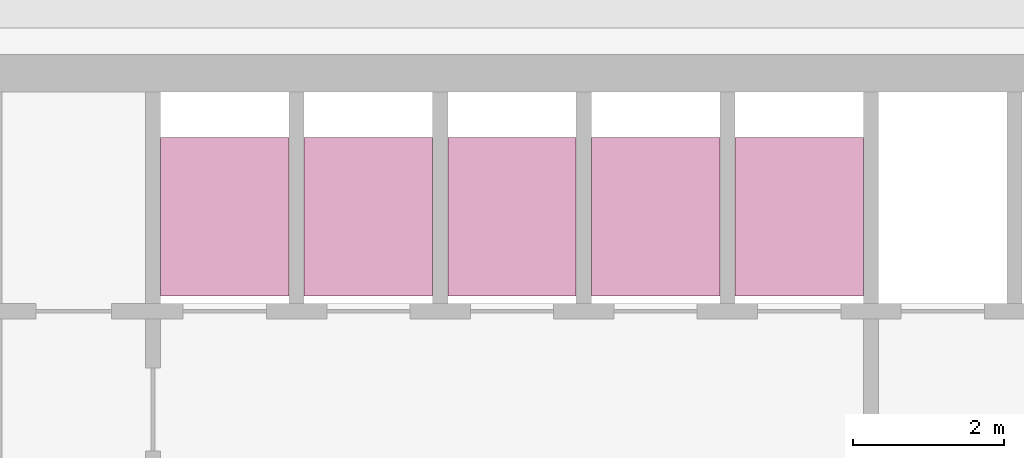
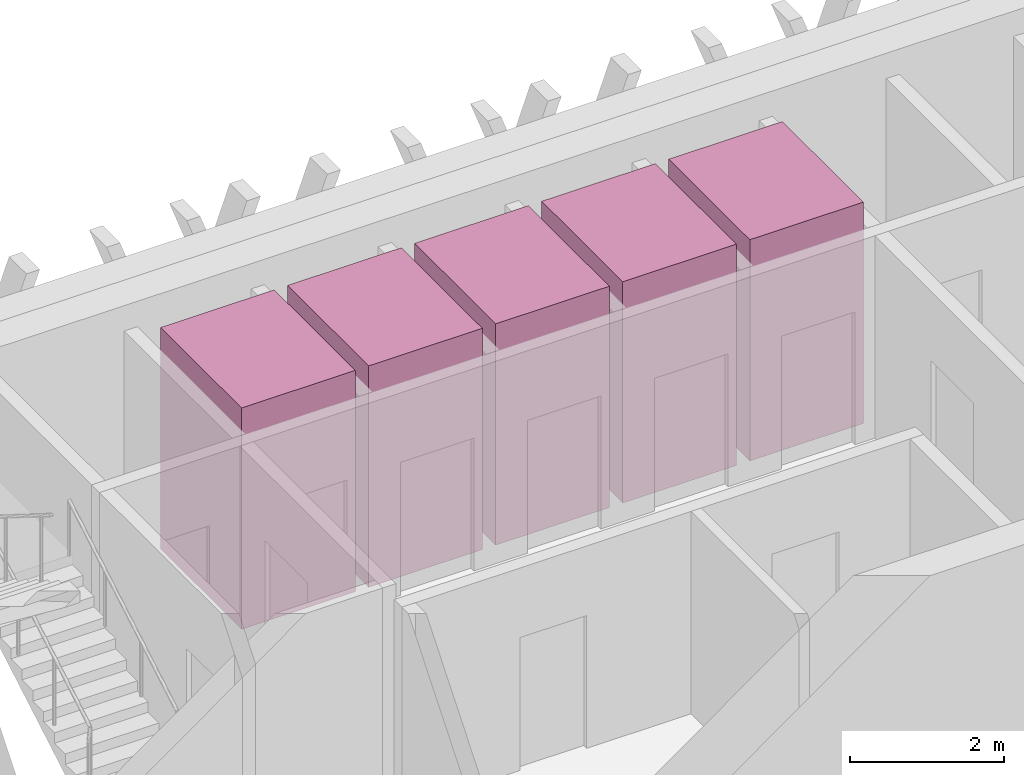
# One storey, part 12 of 12: 5 transport elements.
"""IFC4 building model written with IfcOpenShell, lengths in metres."""

import ifcopenshell
import ifcopenshell.guid

model = None  # the IFC model being written
_history = None  # IfcOwnerHistory: only IFC2X3 demands one
_inside = {}  # id of a spatial element -> (the spatial element, [elements in it])
_under = {}  # id of a project, library or spatial element -> (it, [spatial elements below it])
_declared = {}  # id of a project -> (the project, [libraries it declares])
_typed = {}  # id of a type object -> (the type object, [elements of that type])
_made_of = {}  # id of a material, layer set ... -> (it, [elements and type objects made of it])


def new_model(schema):
    """Start an empty IFC model of exactly this schema.

    Asked for "IFC4X3", IfcOpenShell would pick the latest addendum, in which some entities
    have other attributes; the version numbers below select the first issue.
    IFC2X3 requires an IfcOwnerHistory on every rooted entity: one is made here for all.
    """
    global model, _history
    if schema == "IFC4X3":
        model = ifcopenshell.file(schema_version=(4, 3, 0, 0))
    else:
        model = ifcopenshell.file(schema=schema)
    _inside.clear()
    _under.clear()
    _declared.clear()
    _typed.clear()
    _made_of.clear()
    _history = None
    if model.schema == "IFC2X3":
        org = make("IfcOrganization", Name="unknown")
        user = make(
            "IfcPersonAndOrganization",
            ThePerson=make("IfcPerson", FamilyName="unknown"),
            TheOrganization=org,
        )
        app = make(
            "IfcApplication",
            ApplicationDeveloper=org,
            Version="unknown",
            ApplicationFullName="unknown",
            ApplicationIdentifier="unknown",
        )
        _history = make(
            "IfcOwnerHistory",
            OwningUser=user,
            OwningApplication=app,
            ChangeAction="ADDED",
            CreationDate=0,
        )
    return model


def make(cls, **values):
    """One entity of the class cls with the attributes given. An attribute that is None is left unset."""
    return model.create_entity(
        cls, **{name: value for name, value in values.items() if value is not None}
    )


def rooted(cls, **values):
    """An entity with a GlobalId (a new one), such as an element, a storey or a relation."""
    return make(cls, GlobalId=ifcopenshell.guid.new(), OwnerHistory=_history, **values)


def si_unit(unit_type, name, prefix=None):
    """IfcSIUnit, for example si_unit("LENGTHUNIT", "METRE", prefix="MILLI")."""
    return make("IfcSIUnit", UnitType=unit_type, Prefix=prefix, Name=name)


def assignment(units):
    """IfcUnitAssignment: the units of a project."""
    return None if units is None else make("IfcUnitAssignment", Units=units)


def point(xyz):
    """IfcCartesianPoint."""
    return None if xyz is None else make("IfcCartesianPoint", Coordinates=xyz)


def direction(xyz):
    """IfcDirection."""
    return None if xyz is None else make("IfcDirection", DirectionRatios=xyz)


def frame(location, z_axis=None, x_axis=None):
    """IfcAxis2Placement3D, a coordinate frame: its origin and axes. An axis left out is left unset."""
    return make(
        "IfcAxis2Placement3D",
        Location=point(location),
        Axis=direction(z_axis),
        RefDirection=direction(x_axis),
    )


def frame_2d(location, x_axis=None):
    """IfcAxis2Placement2D, a coordinate frame in the plane: its origin and x axis."""
    return make(
        "IfcAxis2Placement2D", Location=point(location), RefDirection=direction(x_axis)
    )


def origin():
    """The frame at (0, 0, 0) with its axes left unset."""
    return frame((0.0, 0.0, 0.0))


def origin_2d():
    """The frame at (0, 0) in the plane with its x axis left unset."""
    return frame_2d((0.0, 0.0))


def place(relative_to, where):
    """IfcLocalPlacement: puts the frame where relative to a parent placement (None: the world)."""
    return make(
        "IfcLocalPlacement", PlacementRelTo=relative_to, RelativePlacement=where
    )


def context(
    kind, dimensions, precision=None, world=None, true_north=None, identifier=None
):
    """IfcGeometricRepresentationContext, for example the 3D "Model" context."""
    return make(
        "IfcGeometricRepresentationContext",
        ContextIdentifier=identifier,
        ContextType=kind,
        CoordinateSpaceDimension=dimensions,
        Precision=precision,
        WorldCoordinateSystem=world,
        TrueNorth=true_north,
    )


def subcontext(parent, identifier, kind, view, scale=None):
    """IfcGeometricRepresentationSubContext, for example "Body" below "Model"."""
    return make(
        "IfcGeometricRepresentationSubContext",
        ContextIdentifier=identifier,
        ContextType=kind,
        ParentContext=parent,
        TargetScale=scale,
        TargetView=view,
    )


def project(units=None, contexts=None):
    """IfcProject with its units and contexts."""
    return rooted(
        "IfcProject",
        Name="project",
        RepresentationContexts=contexts,
        UnitsInContext=assignment(units),
    )


def spatial(cls, under=None, at=None, **own):
    """A site, building, storey or space (cls), placed at a placement, below another one or the project."""
    s = rooted(cls, ObjectPlacement=at, **own)
    if under is not None:
        _under.setdefault(under.id(), (under, []))[1].append(s)
    return s


def profile(cls, at=None, kind="AREA", **sizes):
    """A parametric profile (cls). Its sizes go by their IFC names, for example OverallWidth=200.0."""
    return make(cls, ProfileType=kind, Position=at, **sizes)


def rectangle(**sizes):
    """IfcRectangleProfileDef."""
    return profile("IfcRectangleProfileDef", **sizes)


def extrude(swept, where, along, depth):
    """IfcExtrudedAreaSolid: the profile swept, set in the frame where, extruded along a direction by depth."""
    return make(
        "IfcExtrudedAreaSolid",
        SweptArea=swept,
        Position=where,
        ExtrudedDirection=direction(along),
        Depth=depth,
    )


def shape(context_of_items, identifier, shape_type, items):
    """IfcShapeRepresentation: the items that make up one representation, for example the "Body"."""
    return make(
        "IfcShapeRepresentation",
        ContextOfItems=context_of_items,
        RepresentationIdentifier=identifier,
        RepresentationType=shape_type,
        Items=items,
    )


def material(Name=None, Category=None):
    """IfcMaterial."""
    return make("IfcMaterial", Name=Name, Category=Category)


def made_of(thing, what):
    """Note that an element or type object is made of a material, layer set ...; save() writes the relation."""
    if what is not None:
        _made_of.setdefault(what.id(), (what, []))[1].append(thing)
    return thing


def type_object(cls, material=None, **own):
    """A type object (cls), such as IfcWallType, which elements share."""
    return made_of(rooted(cls, **own), material)


def element(
    cls,
    number,
    at=None,
    inside=None,
    cuts=None,
    type_object=None,
    material=None,
    context=None,
    identifier="Body",
    shape_type=None,
    held_by="IfcProductDefinitionShape",
    body=None,
    shapes=None,
    **own,
):
    """One element of the class cls, such as IfcWall. Its Tag is "e" and its number.

    at: its placement. inside: the storey or other place that contains it. cuts: it is an
    opening in that element (IfcRelVoidsElement). A single representation is given by context,
    identifier, shape_type and body (its items); several are given by shapes. held_by: the class
    of the entity that holds the representations. save() writes the other relations.
    """
    e = rooted(cls, Tag="e%d" % number, ObjectPlacement=at, **own)
    if body is not None:
        shapes = [shape(context, identifier, shape_type, body)]
    if shapes is not None:
        e.Representation = make(held_by, Representations=shapes)
    if inside is not None:
        _inside.setdefault(inside.id(), (inside, []))[1].append(e)
    if cuts is not None:
        rooted(
            "IfcRelVoidsElement", RelatingBuildingElement=cuts, RelatedOpeningElement=e
        )
    if type_object is not None:
        _typed.setdefault(type_object.id(), (type_object, []))[1].append(e)
    return made_of(e, material)


def aggregate(whole, parts):
    """IfcRelAggregates: a whole, such as a stair, and the parts it consists of."""
    return rooted("IfcRelAggregates", RelatingObject=whole, RelatedObjects=parts)


def save(model, path):
    """Write the relations noted so far, then the file.

    IfcRelAggregates (storeys below a building ...), IfcRelContainedInSpatialStructure (elements
    in a storey), IfcRelDefinesByType, IfcRelAssociatesMaterial and IfcRelDeclares: one each for
    every whole, place, type object, material and project.
    """
    for whole, parts in _under.values():
        aggregate(whole, parts)
    for where, things in _inside.values():
        rooted(
            "IfcRelContainedInSpatialStructure",
            RelatedElements=things,
            RelatingStructure=where,
        )
    for kind, things in _typed.values():
        rooted("IfcRelDefinesByType", RelatedObjects=things, RelatingType=kind)
    for what, things in _made_of.values():
        rooted("IfcRelAssociatesMaterial", RelatedObjects=things, RelatingMaterial=what)
    for by, libraries in _declared.values():
        rooted("IfcRelDeclares", RelatingContext=by, RelatedDefinitions=libraries)
    model.write(path)


model = new_model("IFC4")

# Units and contexts
model_context = context("Model", 3, precision=1e-05, world=origin(), true_north=direction((0.0, 1.0)))
body_context = subcontext(model_context, "Body", "Model", "MODEL_VIEW")
ifc_project = project(units=[si_unit("LENGTHUNIT", "METRE"), si_unit("AREAUNIT", "SQUARE_METRE"), si_unit("VOLUMEUNIT", "CUBIC_METRE"), si_unit("PLANEANGLEUNIT", "RADIAN"), si_unit("MASSUNIT", "GRAM", prefix="KILO")], contexts=[model_context])

# Site, building, storey
site_placement = place(None, origin())
site = spatial("IfcSite", under=ifc_project, at=site_placement, CompositionType="ELEMENT")
building_placement = place(site_placement, origin())
building = spatial("IfcBuilding", under=site, at=building_placement, Name="Altiplano Prism Tower", CompositionType="ELEMENT")
storey_placement = place(building_placement, frame((0.0, 0.0, 323.800048828125)))
storey = spatial("IfcBuildingStorey", under=building, at=storey_placement, Name="L84", CompositionType="ELEMENT", Elevation=323.800048828125)

# Transport elements
ifc_material = material(Name="Stainless steel lift car", Category="steel")
transport_element_type = type_object("IfcTransportElementType", Name="Passenger lift car 1600 x 2100", PredefinedType="ELEVATOR", material=ifc_material)
for number, where, z_axis, x_axis, name in (
    (1, (79.050048828125, 101.75, 0.050048828125), (0.0, 0.0, 1.0), (1.0, 0.0, 0.0), "High Zone Passenger Lift 1"),
    (2, (80.949951171875, 101.75, 0.050048828125), (0.0, 0.0, 1.0), (1.0, 0.0, 0.0), "High Zone Passenger Lift 2"),
    (3, (82.85009765625, 101.75, 0.050048828125), (0.0, 0.0, 1.0), (1.0, 0.0, 0.0), "High Zone Passenger Lift 3"),
    (4, (84.75, 101.75, 0.050048828125), (0.0, 0.0, 1.0), (1.0, 0.0, 0.0), "High Zone Passenger Lift 4"),
    (5, (86.64990234375, 101.75, 0.050048828125), (0.0, 0.0, 1.0), (1.0, 0.0, 0.0), "High Zone Passenger Lift 5"),
):
    element("IfcTransportElement", number, at=place(storey_placement, frame(where, z_axis=z_axis, x_axis=x_axis)), inside=storey, type_object=transport_element_type, Name=name, PredefinedType="ELEVATOR", context=body_context, shape_type="SweptSolid", body=[
        extrude(rectangle(XDim=1.699951171875, YDim=2.10009765625, at=origin_2d()), origin(), (0.0, 0.0, 1.0), 3.5),
    ])

save(model, "model.ifc")
